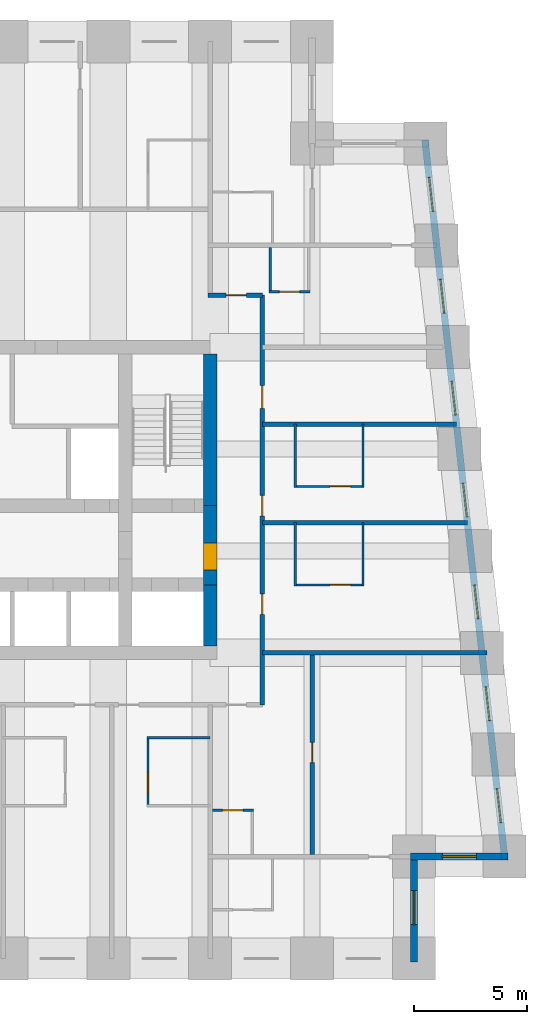
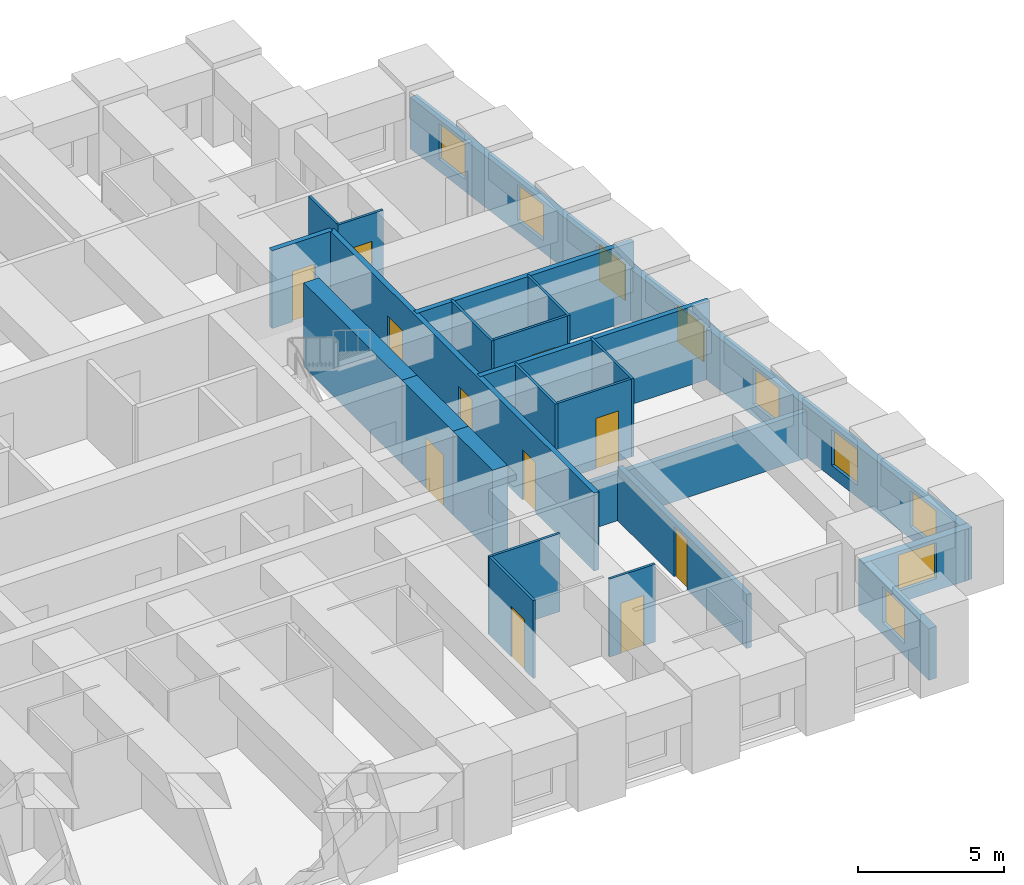
# One storey, part 5 of 8: 23 walls, 11 doors, 9 windows, 20 openings.
"""IFC4 building model written with IfcOpenShell, lengths in metres."""

import ifcopenshell
import ifcopenshell.guid

model = None  # the IFC model being written
_history = None  # IfcOwnerHistory: only IFC2X3 demands one
_inside = {}  # id of a spatial element -> (the spatial element, [elements in it])
_under = {}  # id of a project, library or spatial element -> (it, [spatial elements below it])
_declared = {}  # id of a project -> (the project, [libraries it declares])
_typed = {}  # id of a type object -> (the type object, [elements of that type])
_made_of = {}  # id of a material, layer set ... -> (it, [elements and type objects made of it])


def new_model(schema):
    """Start an empty IFC model of exactly this schema.

    Asked for "IFC4X3", IfcOpenShell would pick the latest addendum, in which some entities
    have other attributes; the version numbers below select the first issue.
    IFC2X3 requires an IfcOwnerHistory on every rooted entity: one is made here for all.
    """
    global model, _history
    if schema == "IFC4X3":
        model = ifcopenshell.file(schema_version=(4, 3, 0, 0))
    else:
        model = ifcopenshell.file(schema=schema)
    _inside.clear()
    _under.clear()
    _declared.clear()
    _typed.clear()
    _made_of.clear()
    _history = None
    if model.schema == "IFC2X3":
        org = make("IfcOrganization", Name="unknown")
        user = make(
            "IfcPersonAndOrganization",
            ThePerson=make("IfcPerson", FamilyName="unknown"),
            TheOrganization=org,
        )
        app = make(
            "IfcApplication",
            ApplicationDeveloper=org,
            Version="unknown",
            ApplicationFullName="unknown",
            ApplicationIdentifier="unknown",
        )
        _history = make(
            "IfcOwnerHistory",
            OwningUser=user,
            OwningApplication=app,
            ChangeAction="ADDED",
            CreationDate=0,
        )
    return model


def make(cls, **values):
    """One entity of the class cls with the attributes given. An attribute that is None is left unset."""
    return model.create_entity(
        cls, **{name: value for name, value in values.items() if value is not None}
    )


def rooted(cls, **values):
    """An entity with a GlobalId (a new one), such as an element, a storey or a relation."""
    return make(cls, GlobalId=ifcopenshell.guid.new(), OwnerHistory=_history, **values)


def si_unit(unit_type, name, prefix=None):
    """IfcSIUnit, for example si_unit("LENGTHUNIT", "METRE", prefix="MILLI")."""
    return make("IfcSIUnit", UnitType=unit_type, Prefix=prefix, Name=name)


def assignment(units):
    """IfcUnitAssignment: the units of a project."""
    return None if units is None else make("IfcUnitAssignment", Units=units)


def point(xyz):
    """IfcCartesianPoint."""
    return None if xyz is None else make("IfcCartesianPoint", Coordinates=xyz)


def direction(xyz):
    """IfcDirection."""
    return None if xyz is None else make("IfcDirection", DirectionRatios=xyz)


def frame(location, z_axis=None, x_axis=None):
    """IfcAxis2Placement3D, a coordinate frame: its origin and axes. An axis left out is left unset."""
    return make(
        "IfcAxis2Placement3D",
        Location=point(location),
        Axis=direction(z_axis),
        RefDirection=direction(x_axis),
    )


def frame_2d(location, x_axis=None):
    """IfcAxis2Placement2D, a coordinate frame in the plane: its origin and x axis."""
    return make(
        "IfcAxis2Placement2D", Location=point(location), RefDirection=direction(x_axis)
    )


def origin():
    """The frame at (0, 0, 0) with its axes left unset."""
    return frame((0.0, 0.0, 0.0))


def place(relative_to, where):
    """IfcLocalPlacement: puts the frame where relative to a parent placement (None: the world)."""
    return make(
        "IfcLocalPlacement", PlacementRelTo=relative_to, RelativePlacement=where
    )


def context(
    kind, dimensions, precision=None, world=None, true_north=None, identifier=None
):
    """IfcGeometricRepresentationContext, for example the 3D "Model" context."""
    return make(
        "IfcGeometricRepresentationContext",
        ContextIdentifier=identifier,
        ContextType=kind,
        CoordinateSpaceDimension=dimensions,
        Precision=precision,
        WorldCoordinateSystem=world,
        TrueNorth=true_north,
    )


def subcontext(parent, identifier, kind, view, scale=None):
    """IfcGeometricRepresentationSubContext, for example "Body" below "Model"."""
    return make(
        "IfcGeometricRepresentationSubContext",
        ContextIdentifier=identifier,
        ContextType=kind,
        ParentContext=parent,
        TargetScale=scale,
        TargetView=view,
    )


def project(units=None, contexts=None):
    """IfcProject with its units and contexts."""
    return rooted(
        "IfcProject",
        Name="project",
        RepresentationContexts=contexts,
        UnitsInContext=assignment(units),
    )


def spatial(cls, under=None, at=None, **own):
    """A site, building, storey or space (cls), placed at a placement, below another one or the project."""
    s = rooted(cls, ObjectPlacement=at, **own)
    if under is not None:
        _under.setdefault(under.id(), (under, []))[1].append(s)
    return s


def profile(cls, at=None, kind="AREA", **sizes):
    """A parametric profile (cls). Its sizes go by their IFC names, for example OverallWidth=200.0."""
    return make(cls, ProfileType=kind, Position=at, **sizes)


def rectangle(**sizes):
    """IfcRectangleProfileDef."""
    return profile("IfcRectangleProfileDef", **sizes)


def extrude(swept, where, along, depth):
    """IfcExtrudedAreaSolid: the profile swept, set in the frame where, extruded along a direction by depth."""
    return make(
        "IfcExtrudedAreaSolid",
        SweptArea=swept,
        Position=where,
        ExtrudedDirection=direction(along),
        Depth=depth,
    )


def shape(context_of_items, identifier, shape_type, items):
    """IfcShapeRepresentation: the items that make up one representation, for example the "Body"."""
    return make(
        "IfcShapeRepresentation",
        ContextOfItems=context_of_items,
        RepresentationIdentifier=identifier,
        RepresentationType=shape_type,
        Items=items,
    )


def material(Name=None, Category=None):
    """IfcMaterial."""
    return make("IfcMaterial", Name=Name, Category=Category)


def layer(
    of_material, thickness, ventilated=None, Name=None, Category=None, Priority=None
):
    """IfcMaterialLayer: one layer of a wall or slab, of a material (None: an air gap)."""
    return make(
        "IfcMaterialLayer",
        Material=of_material,
        LayerThickness=thickness,
        IsVentilated=ventilated,
        Name=Name,
        Category=Category,
        Priority=Priority,
    )


def layer_set(layers, Name=None):
    """IfcMaterialLayerSet."""
    return make("IfcMaterialLayerSet", MaterialLayers=layers, LayerSetName=Name)


def made_of(thing, what):
    """Note that an element or type object is made of a material, layer set ...; save() writes the relation."""
    if what is not None:
        _made_of.setdefault(what.id(), (what, []))[1].append(thing)
    return thing


def type_object(cls, material=None, **own):
    """A type object (cls), such as IfcWallType, which elements share."""
    return made_of(rooted(cls, **own), material)


def element(
    cls,
    number,
    at=None,
    inside=None,
    cuts=None,
    type_object=None,
    material=None,
    context=None,
    identifier="Body",
    shape_type=None,
    held_by="IfcProductDefinitionShape",
    body=None,
    shapes=None,
    **own,
):
    """One element of the class cls, such as IfcWall. Its Tag is "e" and its number.

    at: its placement. inside: the storey or other place that contains it. cuts: it is an
    opening in that element (IfcRelVoidsElement). A single representation is given by context,
    identifier, shape_type and body (its items); several are given by shapes. held_by: the class
    of the entity that holds the representations. save() writes the other relations.
    """
    e = rooted(cls, Tag="e%d" % number, ObjectPlacement=at, **own)
    if body is not None:
        shapes = [shape(context, identifier, shape_type, body)]
    if shapes is not None:
        e.Representation = make(held_by, Representations=shapes)
    if inside is not None:
        _inside.setdefault(inside.id(), (inside, []))[1].append(e)
    if cuts is not None:
        rooted(
            "IfcRelVoidsElement", RelatingBuildingElement=cuts, RelatedOpeningElement=e
        )
    if type_object is not None:
        _typed.setdefault(type_object.id(), (type_object, []))[1].append(e)
    return made_of(e, material)


def fill(opening, filler):
    """IfcRelFillsElement: the door or window that sits in an opening."""
    return rooted(
        "IfcRelFillsElement",
        RelatingOpeningElement=opening,
        RelatedBuildingElement=filler,
    )


def aggregate(whole, parts):
    """IfcRelAggregates: a whole, such as a stair, and the parts it consists of."""
    return rooted("IfcRelAggregates", RelatingObject=whole, RelatedObjects=parts)


def save(model, path):
    """Write the relations noted so far, then the file.

    IfcRelAggregates (storeys below a building ...), IfcRelContainedInSpatialStructure (elements
    in a storey), IfcRelDefinesByType, IfcRelAssociatesMaterial and IfcRelDeclares: one each for
    every whole, place, type object, material and project.
    """
    for whole, parts in _under.values():
        aggregate(whole, parts)
    for where, things in _inside.values():
        rooted(
            "IfcRelContainedInSpatialStructure",
            RelatedElements=things,
            RelatingStructure=where,
        )
    for kind, things in _typed.values():
        rooted("IfcRelDefinesByType", RelatedObjects=things, RelatingType=kind)
    for what, things in _made_of.values():
        rooted("IfcRelAssociatesMaterial", RelatedObjects=things, RelatingMaterial=what)
    for by, libraries in _declared.values():
        rooted("IfcRelDeclares", RelatingContext=by, RelatedDefinitions=libraries)
    model.write(path)


model = new_model("IFC4")

# Units and contexts
model_context = context("Model", 3, precision=1e-05, world=origin(), true_north=direction((0.0, 1.0)))
body_context = subcontext(model_context, "Body", "Model", "MODEL_VIEW")
ifc_project = project(units=[si_unit("LENGTHUNIT", "METRE"), si_unit("AREAUNIT", "SQUARE_METRE"), si_unit("VOLUMEUNIT", "CUBIC_METRE"), si_unit("PLANEANGLEUNIT", "RADIAN"), si_unit("MASSUNIT", "GRAM", prefix="KILO")], contexts=[model_context])

# Site, building, storey
site_placement = place(None, origin())
site = spatial("IfcSite", under=ifc_project, at=site_placement, CompositionType="ELEMENT")
building_placement = place(site_placement, origin())
building = spatial("IfcBuilding", under=site, at=building_placement, Name="Kilele Tower Hotel", CompositionType="ELEMENT")
storey_placement = place(building_placement, frame((0.0, 0.0, 107.39990234375)))
storey = spatial("IfcBuildingStorey", under=building, at=storey_placement, Name="L27", CompositionType="ELEMENT", Elevation=107.39990234375)

# Wall
ifc_material_1 = material(Name="Moisture-resistant board")
ifc_layer_1 = layer(ifc_material_1, 0.10009765625)
ifc_layer_set_1 = layer_set([ifc_layer_1], Name="Moisture-resistant board")
wall_type_1 = type_object("IfcWallType", Name="Bathroom partition 100", PredefinedType="PLUMBINGWALL", material=ifc_layer_set_1)
wall_1_placement = place(storey_placement, frame((33.199951171875, 9.75, 0.0), z_axis=(0.0, 0.0, 1.0), x_axis=(1.0, 0.0, 0.0)))
element("IfcWall", 1, at=wall_1_placement, inside=storey, type_object=wall_type_1, Name="Bathroom partition 100 L27", PredefinedType="PLUMBINGWALL", context=body_context, shape_type="SweptSolid", body=[
    extrude(rectangle(XDim=2.800048828125, YDim=0.10009765625, at=frame_2d((1.39990234375, 0.0))), origin(), (0.0, 0.0, 1.0), 3.25),
])

# Wall, opening, door
wall_2_placement = place(storey_placement, frame((33.25, 9.800048828125, 0.0), z_axis=(0.0, 0.0, 1.0), x_axis=(0.0, -1.0, 0.0)))
wall_2 = element("IfcWall", 2, at=wall_2_placement, inside=storey, type_object=wall_type_1, Name="Bathroom partition 100 L27", PredefinedType="PLUMBINGWALL", context=body_context, shape_type="SweptSolid", body=[
    extrude(rectangle(XDim=3.10009765625, YDim=0.10009765625, at=frame_2d((1.550048828125, 0.0))), origin(), (0.0, 0.0, 1.0), 3.25),
])
opening_1_placement = place(wall_2_placement, frame((2.5, 0.0, 0.0), z_axis=(0.0, 0.0, 1.0), x_axis=(-1.0, 0.0, 0.0)))
opening_1 = element("IfcOpeningElement", 3, at=opening_1_placement, cuts=wall_2, Name="Opening D2A", PredefinedType="OPENING", context=body_context, shape_type="SweptSolid", body=[
    extrude(rectangle(XDim=0.89990234375, YDim=2.10009765625, at=frame_2d((0.449951171875, 1.050048828125))), frame((0.0, 0.06005859375, 0.0), z_axis=(0.0, -1.0, 0.0), x_axis=(1.0, 0.0, 0.0)), (0.0, 0.0, 1.0), 0.1201171875),
])
ifc_material_2 = material(Name="Timber door leaf in hardwood frame", Category="wood")
door_type_1 = type_object("IfcDoorType", Name="Bathroom door 900", OperationType="SINGLE_SWING_LEFT", PredefinedType="DOOR", material=ifc_material_2)
door_1_placement = place(opening_1_placement, origin())
door_1 = element("IfcDoor", 4, at=door_1_placement, inside=storey, type_object=door_type_1, Name="Bathroom door 2705B", OperationType="SINGLE_SWING_LEFT", OverallHeight=2.10009765625, OverallWidth=0.89990234375, PredefinedType="DOOR", context=body_context, shape_type="SweptSolid", body=[
    extrude(rectangle(XDim=0.89990234375, YDim=2.10009765625, at=frame_2d((0.449951171875, 1.050048828125))), frame((0.0, 0.02490234375, 0.0), z_axis=(0.0, -1.0, 0.0), x_axis=(1.0, 0.0, 0.0)), (0.0, 0.0, 1.0), 0.050048828125),
])
fill(opening_1, door_1)

# Walls
for number, where, z_axis, x_axis, name in (
    (5, (39.75, 16.449951171875, 0.0), (0.0, 0.0, 1.0), (0.0, 1.0, 0.0), "Bathroom partition 100 L27"),
    (6, (42.75, 16.449951171875, 0.0), (0.0, 0.0, 1.0), (0.0, 1.0, 0.0), "Bathroom partition 100 L27"),
):
    element("IfcWall", number, at=place(storey_placement, frame(where, z_axis=z_axis, x_axis=x_axis)), inside=storey, type_object=wall_type_1, Name=name, PredefinedType="PLUMBINGWALL", context=body_context, shape_type="SweptSolid", body=[
        extrude(rectangle(XDim=2.800048828125, YDim=0.10009765625, at=frame_2d((1.39990234375, 0.0))), origin(), (0.0, 0.0, 1.0), 3.25),
    ])

# Wall, opening, door
wall_3_placement = place(storey_placement, frame((39.699951171875, 16.5, 0.0), z_axis=(0.0, 0.0, 1.0), x_axis=(1.0, 0.0, 0.0)))
wall_3 = element("IfcWall", 7, at=wall_3_placement, inside=storey, type_object=wall_type_1, Name="Bathroom partition 100 L27", PredefinedType="PLUMBINGWALL", context=body_context, shape_type="SweptSolid", body=[
    extrude(rectangle(XDim=3.10009765625, YDim=0.10009765625, at=frame_2d((1.550048828125, 0.0))), origin(), (0.0, 0.0, 1.0), 3.25),
])
opening_2_placement = place(wall_3_placement, frame((2.5, 0.0, 0.0), z_axis=(0.0, 0.0, 1.0), x_axis=(-1.0, 0.0, 0.0)))
opening_2 = element("IfcOpeningElement", 8, at=opening_2_placement, cuts=wall_3, Name="Opening D2A", PredefinedType="OPENING", context=body_context, shape_type="SweptSolid", body=[
    extrude(rectangle(XDim=0.89990234375, YDim=2.10009765625, at=frame_2d((0.449951171875, 1.050048828125))), frame((0.0, 0.06005859375, 0.0), z_axis=(0.0, -1.0, 0.0), x_axis=(1.0, 0.0, 0.0)), (0.0, 0.0, 1.0), 0.1201171875),
])
door_2_placement = place(opening_2_placement, origin())
door_2 = element("IfcDoor", 9, at=door_2_placement, inside=storey, type_object=door_type_1, Name="Bathroom door 2706B", OperationType="SINGLE_SWING_LEFT", OverallHeight=2.10009765625, OverallWidth=0.89990234375, PredefinedType="DOOR", context=body_context, shape_type="SweptSolid", body=[
    extrude(rectangle(XDim=0.89990234375, YDim=2.10009765625, at=frame_2d((0.449951171875, 1.050048828125))), frame((0.0, 0.02490234375, 0.0), z_axis=(0.0, -1.0, 0.0), x_axis=(1.0, 0.0, 0.0)), (0.0, 0.0, 1.0), 0.050048828125),
])
fill(opening_2, door_2)

# Walls
for number, where, z_axis, x_axis, name in (
    (10, (39.75, 20.800048828125, 0.0), (0.0, 0.0, 1.0), (0.0, 1.0, 0.0), "Bathroom partition 100 L27"),
    (11, (42.75, 20.800048828125, 0.0), (0.0, 0.0, 1.0), (0.0, 1.0, 0.0), "Bathroom partition 100 L27"),
):
    element("IfcWall", number, at=place(storey_placement, frame(where, z_axis=z_axis, x_axis=x_axis)), inside=storey, type_object=wall_type_1, Name=name, PredefinedType="PLUMBINGWALL", context=body_context, shape_type="SweptSolid", body=[
        extrude(rectangle(XDim=2.800048828125, YDim=0.10009765625, at=frame_2d((1.39990234375, 0.0))), origin(), (0.0, 0.0, 1.0), 3.25),
    ])

# Wall, opening, door
wall_4_placement = place(storey_placement, frame((39.699951171875, 20.85009765625, 0.0), z_axis=(0.0, 0.0, 1.0), x_axis=(1.0, 0.0, 0.0)))
wall_4 = element("IfcWall", 12, at=wall_4_placement, inside=storey, type_object=wall_type_1, Name="Bathroom partition 100 L27", PredefinedType="PLUMBINGWALL", context=body_context, shape_type="SweptSolid", body=[
    extrude(rectangle(XDim=3.10009765625, YDim=0.10009765625, at=frame_2d((1.550048828125, 0.0))), origin(), (0.0, 0.0, 1.0), 3.25),
])
opening_3_placement = place(wall_4_placement, frame((2.5, 0.0, 0.0), z_axis=(0.0, 0.0, 1.0), x_axis=(-1.0, 0.0, 0.0)))
opening_3 = element("IfcOpeningElement", 13, at=opening_3_placement, cuts=wall_4, Name="Opening D2A", PredefinedType="OPENING", context=body_context, shape_type="SweptSolid", body=[
    extrude(rectangle(XDim=0.89990234375, YDim=2.10009765625, at=frame_2d((0.449951171875, 1.050048828125))), frame((0.0, 0.06005859375, 0.0), z_axis=(0.0, -1.0, 0.0), x_axis=(1.0, 0.0, 0.0)), (0.0, 0.0, 1.0), 0.1201171875),
])
door_3_placement = place(opening_3_placement, origin())
door_3 = element("IfcDoor", 14, at=door_3_placement, inside=storey, type_object=door_type_1, Name="Bathroom door 2707B", OperationType="SINGLE_SWING_LEFT", OverallHeight=2.10009765625, OverallWidth=0.89990234375, PredefinedType="DOOR", context=body_context, shape_type="SweptSolid", body=[
    extrude(rectangle(XDim=0.89990234375, YDim=2.10009765625, at=frame_2d((0.449951171875, 1.050048828125))), frame((0.0, 0.02490234375, 0.0), z_axis=(0.0, -1.0, 0.0), x_axis=(1.0, 0.0, 0.0)), (0.0, 0.0, 1.0), 0.050048828125),
])
fill(opening_3, door_3)

wall_5_placement = place(storey_placement, frame((36.10009765625, 6.550048828125, 0.0), z_axis=(0.0, 0.0, 1.0), x_axis=(1.0, 0.0, 0.0)))
wall_5 = element("IfcWall", 15, at=wall_5_placement, inside=storey, type_object=wall_type_1, Name="Bathroom partition 100 L27", PredefinedType="PLUMBINGWALL", context=body_context, shape_type="SweptSolid", body=[
    extrude(rectangle(XDim=1.7998046875, YDim=0.10009765625, at=frame_2d((0.89990234375, 0.0))), origin(), (0.0, 0.0, 1.0), 3.25),
])
opening_4_placement = place(wall_5_placement, frame((0.449951171875, 0.0, 0.0)))
opening_4 = element("IfcOpeningElement", 16, at=opening_4_placement, cuts=wall_5, Name="Opening D2A", PredefinedType="OPENING", context=body_context, shape_type="SweptSolid", body=[
    extrude(rectangle(XDim=0.89990234375, YDim=2.10009765625, at=frame_2d((0.449951171875, 1.050048828125))), frame((0.0, 0.06005859375, 0.0), z_axis=(0.0, -1.0, 0.0), x_axis=(1.0, 0.0, 0.0)), (0.0, 0.0, 1.0), 0.1201171875),
])
door_4_placement = place(opening_4_placement, origin())
door_4 = element("IfcDoor", 17, at=door_4_placement, inside=storey, type_object=door_type_1, Name="Bathroom door 2720P", OperationType="SINGLE_SWING_LEFT", OverallHeight=2.10009765625, OverallWidth=0.89990234375, PredefinedType="DOOR", context=body_context, shape_type="SweptSolid", body=[
    extrude(rectangle(XDim=0.89990234375, YDim=2.10009765625, at=frame_2d((0.449951171875, 1.050048828125))), frame((0.0, 0.02490234375, 0.0), z_axis=(0.0, -1.0, 0.0), x_axis=(1.0, 0.0, 0.0)), (0.0, 0.0, 1.0), 0.050048828125),
])
fill(opening_4, door_4)

# Wall
wall_6_placement = place(storey_placement, frame((38.64990234375, 31.39990234375, 0.0), z_axis=(0.0, 0.0, 1.0), x_axis=(0.0, -1.0, 0.0)))
element("IfcWall", 18, at=wall_6_placement, inside=storey, type_object=wall_type_1, Name="Bathroom partition 100 L27", PredefinedType="PLUMBINGWALL", context=body_context, shape_type="SweptSolid", body=[
    extrude(rectangle(XDim=2.0, YDim=0.10009765625, at=frame_2d((1.0, 0.0))), origin(), (0.0, 0.0, 1.0), 3.25),
])

# Wall, opening, door
wall_7_placement = place(storey_placement, frame((38.60009765625, 29.449951171875, 0.0), z_axis=(0.0, 0.0, 1.0), x_axis=(1.0, 0.0, 0.0)))
wall_7 = element("IfcWall", 19, at=wall_7_placement, inside=storey, type_object=wall_type_1, Name="Bathroom partition 100 L27", PredefinedType="PLUMBINGWALL", context=body_context, shape_type="SweptSolid", body=[
    extrude(rectangle(XDim=1.7998046875, YDim=0.10009765625, at=frame_2d((0.89990234375, 0.0))), origin(), (0.0, 0.0, 1.0), 3.25),
])
opening_5_placement = place(wall_7_placement, frame((1.349853515625, 0.0, 0.0), z_axis=(0.0, 0.0, 1.0), x_axis=(-1.0, 0.0, 0.0)))
opening_5 = element("IfcOpeningElement", 20, at=opening_5_placement, cuts=wall_7, Name="Opening D2A", PredefinedType="OPENING", context=body_context, shape_type="SweptSolid", body=[
    extrude(rectangle(XDim=0.89990234375, YDim=2.10009765625, at=frame_2d((0.449951171875, 1.050048828125))), frame((0.0, 0.06005859375, 0.0), z_axis=(0.0, -1.0, 0.0), x_axis=(1.0, 0.0, 0.0)), (0.0, 0.0, 1.0), 0.1201171875),
])
door_5_placement = place(opening_5_placement, origin())
door_5 = element("IfcDoor", 21, at=door_5_placement, inside=storey, type_object=door_type_1, Name="Bathroom door 2723P", OperationType="SINGLE_SWING_RIGHT", OverallHeight=2.10009765625, OverallWidth=0.89990234375, PredefinedType="DOOR", context=body_context, shape_type="SweptSolid", body=[
    extrude(rectangle(XDim=0.89990234375, YDim=2.10009765625, at=frame_2d((0.449951171875, 1.050048828125))), frame((0.0, 0.02490234375, 0.0), z_axis=(0.0, -1.0, 0.0), x_axis=(1.0, 0.0, 0.0)), (0.0, 0.0, 1.0), 0.050048828125),
])
fill(opening_5, door_5)

# Wall
ifc_material_3 = material(Name="Concrete C60/75", Category="concrete")
ifc_layer_2 = layer(ifc_material_3, 0.60009765625)
ifc_layer_set_2 = layer_set([ifc_layer_2], Name="Concrete C60/75")
wall_type_2 = type_object("IfcWallType", Name="Core wall 600 C60/75", PredefinedType="SHEAR", material=ifc_layer_set_2)
wall_8_placement = place(storey_placement, frame((36.0, 13.800048828125, 0.0), z_axis=(0.0, 0.0, 1.0), x_axis=(0.0, 1.0, 0.0)))
element("IfcWall", 22, at=wall_8_placement, inside=storey, type_object=wall_type_2, Name="Core wall E1 L27", PredefinedType="SHEAR", context=body_context, shape_type="SweptSolid", body=[
    extrude(rectangle(XDim=2.699951171875, YDim=0.60009765625, at=frame_2d((1.35009765625, 0.0))), origin(), (0.0, 0.0, 1.0), 3.5),
])

# Wall, opening, door
wall_9_placement = place(storey_placement, frame((36.0, 16.5, 0.0), z_axis=(0.0, 0.0, 1.0), x_axis=(0.0, 1.0, 0.0)))
wall_9 = element("IfcWall", 23, at=wall_9_placement, inside=storey, type_object=wall_type_2, Name="Core wall E2 L27", PredefinedType="SHEAR", context=body_context, shape_type="SweptSolid", body=[
    extrude(rectangle(XDim=3.5, YDim=0.60009765625, at=frame_2d((1.75, 0.0))), origin(), (0.0, 0.0, 1.0), 3.5),
])
opening_6_placement = place(wall_9_placement, frame((0.64990234375, 0.0, 0.0)))
opening_6 = element("IfcOpeningElement", 24, at=opening_6_placement, cuts=wall_9, Name="Opening D4", PredefinedType="OPENING", context=body_context, shape_type="SweptSolid", body=[
    extrude(rectangle(XDim=1.199951171875, YDim=2.10009765625, at=frame_2d((0.60009765625, 1.050048828125))), frame((0.0, 0.31005859375, 0.0), z_axis=(0.0, -1.0, 0.0), x_axis=(1.0, 0.0, 0.0)), (0.0, 0.0, 1.0), 0.6201171875),
])
ifc_material_4 = material(Name="Timber door leaf in hardwood frame", Category="wood")
door_type_2 = type_object("IfcDoorType", Name="Firefighting lobby door 1200", OperationType="SINGLE_SWING_LEFT", PredefinedType="DOOR", material=ifc_material_4)
door_6_placement = place(opening_6_placement, origin())
door_6 = element("IfcDoor", 25, at=door_6_placement, inside=storey, type_object=door_type_2, Name="Lobby door L27", OperationType="SINGLE_SWING_LEFT", OverallHeight=2.10009765625, OverallWidth=1.199951171875, PredefinedType="DOOR", context=body_context, shape_type="SweptSolid", body=[
    extrude(rectangle(XDim=1.199951171875, YDim=2.10009765625, at=frame_2d((0.60009765625, 1.050048828125))), frame((0.0, 0.2998046875, 0.0), z_axis=(0.0, -1.0, 0.0), x_axis=(1.0, 0.0, 0.0)), (0.0, 0.0, 1.0), 0.599609375),
])
fill(opening_6, door_6)

# Wall
wall_10_placement = place(storey_placement, frame((36.0, 20.0, 0.0), z_axis=(0.0, 0.0, 1.0), x_axis=(0.0, 1.0, 0.0)))
element("IfcWall", 26, at=wall_10_placement, inside=storey, type_object=wall_type_2, Name="Core wall E3 L27", PredefinedType="SHEAR", context=body_context, shape_type="SweptSolid", body=[
    extrude(rectangle(XDim=6.699951171875, YDim=0.60009765625, at=frame_2d((3.35009765625, 0.0))), origin(), (0.0, 0.0, 1.0), 3.5),
])

# Wall, opening, door
ifc_material_5 = material(Name="Blockwork, plastered both sides", Category="masonry")
ifc_layer_3 = layer(ifc_material_5, 0.199951171875)
ifc_layer_set_3 = layer_set([ifc_layer_3], Name="Blockwork, plastered both sides")
wall_type_3 = type_object("IfcWallType", Name="Corridor wall 200", PredefinedType="PARTITIONING", material=ifc_layer_set_3)
wall_11_placement = place(storey_placement, frame((35.89990234375, 29.300048828125, 0.0), z_axis=(0.0, 0.0, 1.0), x_axis=(1.0, 0.0, 0.0)))
wall_11 = element("IfcWall", 27, at=wall_11_placement, inside=storey, type_object=wall_type_3, Name="Corridor wall 200 L27", PredefinedType="PARTITIONING", context=body_context, shape_type="SweptSolid", body=[
    extrude(rectangle(XDim=2.400146484375, YDim=0.199951171875, at=frame_2d((1.2001953125, 0.0))), origin(), (0.0, 0.0, 1.0), 3.25),
])
opening_7_placement = place(wall_11_placement, frame((0.800048828125, 0.0, 0.0)))
opening_7 = element("IfcOpeningElement", 28, at=opening_7_placement, cuts=wall_11, Name="Opening D1", PredefinedType="OPENING", context=body_context, shape_type="SweptSolid", body=[
    extrude(rectangle(XDim=0.89990234375, YDim=2.10009765625, at=frame_2d((0.449951171875, 1.050048828125))), frame((0.0, 0.10986328125, 0.0), z_axis=(0.0, -1.0, 0.0), x_axis=(1.0, 0.0, 0.0)), (0.0, 0.0, 1.0), 0.219970703125),
])
ifc_material_6 = material(Name="Timber door leaf in hardwood frame", Category="wood")
door_type_3 = type_object("IfcDoorType", Name="Guest room entrance door 900", OperationType="SINGLE_SWING_LEFT", PredefinedType="DOOR", material=ifc_material_6)
door_7_placement = place(opening_7_placement, origin())
door_7 = element("IfcDoor", 29, at=door_7_placement, inside=storey, type_object=door_type_3, Name="Room entrance 2723", OperationType="SINGLE_SWING_LEFT", OverallHeight=2.10009765625, OverallWidth=0.89990234375, PredefinedType="DOOR", context=body_context, shape_type="SweptSolid", body=[
    extrude(rectangle(XDim=0.89990234375, YDim=2.10009765625, at=frame_2d((0.449951171875, 1.050048828125))), frame((0.0, 0.02490234375, 0.0), z_axis=(0.0, -1.0, 0.0), x_axis=(1.0, 0.0, 0.0)), (0.0, 0.0, 1.0), 0.050048828125),
])
fill(opening_7, door_7)

# Wall, openings, doors
wall_12_placement = place(storey_placement, frame((38.300048828125, 11.199951171875, 0.0), z_axis=(0.0, 0.0, 1.0), x_axis=(0.0, 1.0, 0.0)))
wall_12 = element("IfcWall", 30, at=wall_12_placement, inside=storey, type_object=wall_type_3, Name="Corridor wall 200 L27", PredefinedType="PARTITIONING", context=body_context, shape_type="SweptSolid", body=[
    extrude(rectangle(XDim=18.10009765625, YDim=0.199951171875, at=frame_2d((9.050048828125, 0.0))), origin(), (0.0, 0.0, 1.0), 3.25),
])
opening_8_placement = place(wall_12_placement, frame((4.89990234375, 0.0, 0.0), z_axis=(0.0, 0.0, 1.0), x_axis=(-1.0, 0.0, 0.0)))
opening_8 = element("IfcOpeningElement", 31, at=opening_8_placement, cuts=wall_12, Name="Opening D1", PredefinedType="OPENING", context=body_context, shape_type="SweptSolid", body=[
    extrude(rectangle(XDim=0.89990234375, YDim=2.10009765625, at=frame_2d((0.449951171875, 1.050048828125))), frame((0.0, 0.10986328125, 0.0), z_axis=(0.0, -1.0, 0.0), x_axis=(1.0, 0.0, 0.0)), (0.0, 0.0, 1.0), 0.219970703125),
])
opening_9_placement = place(wall_12_placement, frame((9.25, 0.0, 0.0), z_axis=(0.0, 0.0, 1.0), x_axis=(-1.0, 0.0, 0.0)))
opening_9 = element("IfcOpeningElement", 32, at=opening_9_placement, cuts=wall_12, Name="Opening D1", PredefinedType="OPENING", context=body_context, shape_type="SweptSolid", body=[
    extrude(rectangle(XDim=0.89990234375, YDim=2.10009765625, at=frame_2d((0.449951171875, 1.050048828125))), frame((0.0, 0.10986328125, 0.0), z_axis=(0.0, -1.0, 0.0), x_axis=(1.0, 0.0, 0.0)), (0.0, 0.0, 1.0), 0.219970703125),
])
opening_10_placement = place(wall_12_placement, frame((14.10009765625, 0.0, 0.0), z_axis=(0.0, 0.0, 1.0), x_axis=(-1.0, 0.0, 0.0)))
opening_10 = element("IfcOpeningElement", 33, at=opening_10_placement, cuts=wall_12, Name="Opening D8", PredefinedType="OPENING", context=body_context, shape_type="SweptSolid", body=[
    extrude(rectangle(XDim=1.0, YDim=2.10009765625, at=frame_2d((0.5, 1.050048828125))), frame((0.0, 0.10986328125, 0.0), z_axis=(0.0, -1.0, 0.0), x_axis=(1.0, 0.0, 0.0)), (0.0, 0.0, 1.0), 0.219970703125),
])
ifc_material_7 = material(Name="Timber door leaf in hardwood frame", Category="wood")
door_type_4 = type_object("IfcDoorType", Name="Door 1000", OperationType="SINGLE_SWING_LEFT", PredefinedType="DOOR", material=ifc_material_7)
door_8_placement = place(opening_10_placement, origin())
door_8 = element("IfcDoor", 34, at=door_8_placement, inside=storey, type_object=door_type_4, Name="Room entrance 2708", OperationType="SINGLE_SWING_RIGHT", OverallHeight=2.10009765625, OverallWidth=1.0, PredefinedType="DOOR", context=body_context, shape_type="SweptSolid", body=[
    extrude(rectangle(XDim=1.0, YDim=2.10009765625, at=frame_2d((0.5, 1.050048828125))), frame((0.0, 0.02490234375, 0.0), z_axis=(0.0, -1.0, 0.0), x_axis=(1.0, 0.0, 0.0)), (0.0, 0.0, 1.0), 0.050048828125),
])
fill(opening_10, door_8)
door_9_placement = place(opening_8_placement, origin())
door_9 = element("IfcDoor", 35, at=door_9_placement, inside=storey, type_object=door_type_3, Name="Room entrance 2706", OperationType="SINGLE_SWING_RIGHT", OverallHeight=2.10009765625, OverallWidth=0.89990234375, PredefinedType="DOOR", context=body_context, shape_type="SweptSolid", body=[
    extrude(rectangle(XDim=0.89990234375, YDim=2.10009765625, at=frame_2d((0.449951171875, 1.050048828125))), frame((0.0, 0.02490234375, 0.0), z_axis=(0.0, -1.0, 0.0), x_axis=(1.0, 0.0, 0.0)), (0.0, 0.0, 1.0), 0.050048828125),
])
fill(opening_8, door_9)
door_10_placement = place(opening_9_placement, origin())
door_10 = element("IfcDoor", 36, at=door_10_placement, inside=storey, type_object=door_type_3, Name="Room entrance 2707", OperationType="SINGLE_SWING_RIGHT", OverallHeight=2.10009765625, OverallWidth=0.89990234375, PredefinedType="DOOR", context=body_context, shape_type="SweptSolid", body=[
    extrude(rectangle(XDim=0.89990234375, YDim=2.10009765625, at=frame_2d((0.449951171875, 1.050048828125))), frame((0.0, 0.02490234375, 0.0), z_axis=(0.0, -1.0, 0.0), x_axis=(1.0, 0.0, 0.0)), (0.0, 0.0, 1.0), 0.050048828125),
])
fill(opening_9, door_10)

# Wall, opening, door
ifc_material_8 = material(Name="Blockwork, plastered both sides", Category="masonry")
ifc_layer_4 = layer(ifc_material_8, 0.199951171875)
ifc_layer_set_4 = layer_set([ifc_layer_4], Name="Blockwork, plastered both sides")
wall_type_4 = type_object("IfcWallType", Name="Partition wall 200", PredefinedType="PARTITIONING", material=ifc_layer_set_4)
wall_13_placement = place(storey_placement, frame((40.5, 4.60009765625, 0.0), z_axis=(0.0, 0.0, 1.0), x_axis=(0.0, 1.0, 0.0)))
wall_13 = element("IfcWall", 37, at=wall_13_placement, inside=storey, type_object=wall_type_4, Name="Partition wall 200 L27", PredefinedType="PARTITIONING", context=body_context, shape_type="SweptSolid", body=[
    extrude(rectangle(XDim=8.7998046875, YDim=0.199951171875, at=frame_2d((4.39990234375, 0.0))), origin(), (0.0, 0.0, 1.0), 2.25),
])
opening_11_placement = place(wall_13_placement, frame((4.050048828125, 0.0, 0.0)))
opening_11 = element("IfcOpeningElement", 38, at=opening_11_placement, cuts=wall_13, Name="Opening D3", PredefinedType="OPENING", context=body_context, shape_type="SweptSolid", body=[
    extrude(rectangle(XDim=0.89990234375, YDim=2.10009765625, at=frame_2d((0.449951171875, 1.050048828125))), frame((0.0, 0.10986328125, 0.0), z_axis=(0.0, -1.0, 0.0), x_axis=(1.0, 0.0, 0.0)), (0.0, 0.0, 1.0), 0.219970703125),
])
ifc_material_9 = material(Name="Timber door leaf in hardwood frame", Category="wood")
door_type_5 = type_object("IfcDoorType", Name="Suite internal door 900", OperationType="SINGLE_SWING_LEFT", PredefinedType="DOOR", material=ifc_material_9)
door_11_placement = place(opening_11_placement, origin())
door_11 = element("IfcDoor", 39, at=door_11_placement, inside=storey, type_object=door_type_5, Name="Suite door 2721", OperationType="SINGLE_SWING_RIGHT", OverallHeight=2.10009765625, OverallWidth=0.89990234375, PredefinedType="DOOR", context=body_context, shape_type="SweptSolid", body=[
    extrude(rectangle(XDim=0.89990234375, YDim=2.10009765625, at=frame_2d((0.449951171875, 1.050048828125))), frame((0.0, 0.02490234375, 0.0), z_axis=(0.0, -1.0, 0.0), x_axis=(1.0, 0.0, 0.0)), (0.0, 0.0, 1.0), 0.050048828125),
])
fill(opening_11, door_11)

# Walls
ifc_material_10 = material(Name="Blockwork, plastered both sides", Category="masonry")
ifc_layer_5 = layer(ifc_material_10, 0.199951171875)
ifc_layer_set_5 = layer_set([ifc_layer_5], Name="Blockwork, plastered both sides")
wall_type_5 = type_object("IfcWallType", Name="Party wall 200", PredefinedType="PARTITIONING", material=ifc_layer_set_5)
wall_14_placement = place(storey_placement, frame((38.300048828125, 19.25, 0.0), z_axis=(0.0, 0.0, 1.0), x_axis=(1.0, 0.0, 0.0)))
element("IfcWall", 40, at=wall_14_placement, inside=storey, type_object=wall_type_5, Name="Party wall 200 L27", PredefinedType="PARTITIONING", context=body_context, shape_type="SweptSolid", body=[
    extrude(rectangle(XDim=9.06005859375, YDim=0.199951171875, at=frame_2d((4.530029296875, 0.0))), origin(), (0.0, 0.0, 1.0), 3.25),
])
wall_15_placement = place(storey_placement, frame((38.300048828125, 23.60009765625, 0.0), z_axis=(0.0, 0.0, 1.0), x_axis=(1.0, 0.0, 0.0)))
element("IfcWall", 41, at=wall_15_placement, inside=storey, type_object=wall_type_5, Name="Party wall 200 L27", PredefinedType="PARTITIONING", context=body_context, shape_type="SweptSolid", body=[
    extrude(rectangle(XDim=8.576904296875, YDim=0.199951171875, at=frame_2d((4.28857421875, 0.0))), origin(), (0.0, 0.0, 1.0), 3.25),
])
wall_16_placement = place(storey_placement, frame((38.300048828125, 13.5, 0.0), z_axis=(0.0, 0.0, 1.0), x_axis=(1.0, 0.0, 0.0)))
element("IfcWall", 42, at=wall_16_placement, inside=storey, type_object=wall_type_5, Name="Party wall 200 L27", PredefinedType="PARTITIONING", context=body_context, shape_type="SweptSolid", body=[
    extrude(rectangle(XDim=9.921142578125, YDim=0.199951171875, at=frame_2d((4.96044921875, 0.0))), origin(), (0.0, 0.0, 1.0), 1.9501953125),
])

# Wall, opening, window
ifc_material_11 = material(Name="Concrete C40/50 precast", Category="concrete")
ifc_layer_6 = layer(ifc_material_11, 0.260009765625, Name="Precast backing", Category="LoadBearing")
ifc_material_12 = material(Name="Reconstituted stone finish", Category="masonry")
ifc_layer_7 = layer(ifc_material_12, 0.0400390625, Name="Face mix", Category="Finish")
ifc_layer_set_6 = layer_set([ifc_layer_6, ifc_layer_7], Name="Precast concrete C40/50, reconstituted stone finish")
wall_type_6 = type_object("IfcWallType", Name="Precast stone facade wall 300", PredefinedType="STANDARD", material=ifc_layer_set_6)
wall_17_placement = place(storey_placement, frame((45.0, -0.14990234375, 0.0), z_axis=(0.0, 0.0, 1.0), x_axis=(0.0, 1.0, 0.0)))
wall_17 = element("IfcWall", 43, at=wall_17_placement, inside=storey, type_object=wall_type_6, Name="Facade wall L27 edge 4", PredefinedType="STANDARD", context=body_context, shape_type="SweptSolid", body=[
    extrude(rectangle(XDim=4.7998046875, YDim=0.300048828125, at=frame_2d((2.39990234375, 0.0))), origin(), (0.0, 0.0, 1.0), 2.150146484375),
])
opening_12_placement = place(wall_17_placement, frame((1.64990234375, 0.0, 0.5)))
opening_12 = element("IfcOpeningElement", 44, at=opening_12_placement, cuts=wall_17, Name="Opening W2", PredefinedType="OPENING", context=body_context, shape_type="SweptSolid", body=[
    extrude(rectangle(XDim=1.5, YDim=1.5, at=frame_2d((0.75, 0.75))), frame((0.0, 0.159912109375, 0.0), z_axis=(0.0, -1.0, 0.0), x_axis=(1.0, 0.0, 0.0)), (0.0, 0.0, 1.0), 0.320068359375),
])
ifc_material_13 = material(Name="Aluminium frame, clear double glazing", Category="aluminium")
window_type = type_object("IfcWindowType", Name="Window W2 1500 x 1500", PartitioningType="SINGLE_PANEL", PredefinedType="WINDOW", material=ifc_material_13)
window_1_placement = place(opening_12_placement, origin())
window_1 = element("IfcWindow", 45, at=window_1_placement, inside=storey, type_object=window_type, Name="Window L27", OverallHeight=1.5, OverallWidth=1.5, PartitioningType="SINGLE_PANEL", PredefinedType="WINDOW", context=body_context, shape_type="SweptSolid", body=[
    extrude(rectangle(XDim=1.5, YDim=1.5, at=frame_2d((0.75, 0.75))), frame((0.0, 0.030029296875, 0.0), z_axis=(0.0, -1.0, 0.0), x_axis=(1.0, 0.0, 0.0)), (0.0, 0.0, 1.0), 0.06005859375),
])
fill(opening_12, window_1)

wall_18_placement = place(storey_placement, frame((44.85009765625, 4.5, 0.0), z_axis=(0.0, 0.0, 1.0), x_axis=(1.0, 0.0, 0.0)))
wall_18 = element("IfcWall", 46, at=wall_18_placement, inside=storey, type_object=wall_type_6, Name="Facade wall L27 edge 5", PredefinedType="STANDARD", context=body_context, shape_type="SweptSolid", body=[
    extrude(rectangle(XDim=4.2998046875, YDim=0.300048828125, at=frame_2d((2.14990234375, 0.0))), origin(), (0.0, 0.0, 1.0), 2.150146484375),
])
opening_13_placement = place(wall_18_placement, frame((1.39990234375, 0.0, 0.5)))
opening_13 = element("IfcOpeningElement", 47, at=opening_13_placement, cuts=wall_18, Name="Opening W2", PredefinedType="OPENING", context=body_context, shape_type="SweptSolid", body=[
    extrude(rectangle(XDim=1.5, YDim=1.5, at=frame_2d((0.75, 0.75))), frame((0.0, 0.159912109375, 0.0), z_axis=(0.0, -1.0, 0.0), x_axis=(1.0, 0.0, 0.0)), (0.0, 0.0, 1.0), 0.320068359375),
])
window_2_placement = place(opening_13_placement, origin())
window_2 = element("IfcWindow", 48, at=window_2_placement, inside=storey, type_object=window_type, Name="Window L27", OverallHeight=1.5, OverallWidth=1.5, PartitioningType="SINGLE_PANEL", PredefinedType="WINDOW", context=body_context, shape_type="SweptSolid", body=[
    extrude(rectangle(XDim=1.5, YDim=1.5, at=frame_2d((0.75, 0.75))), frame((0.0, 0.030029296875, 0.0), z_axis=(0.0, -1.0, 0.0), x_axis=(1.0, 0.0, 0.0)), (0.0, 0.0, 1.0), 0.06005859375),
])
fill(opening_13, window_2)

# Wall, openings, windows
wall_19_placement = place(storey_placement, frame((49.0166015625, 4.350830078125, 0.0), z_axis=(0.0, 0.0, 1.0), x_axis=(-0.110433201132, 0.993883548555, 0.0)))
wall_19 = element("IfcWall", 49, at=wall_19_placement, inside=storey, type_object=wall_type_6, Name="Facade wall L27 edge 6", PredefinedType="STANDARD", context=body_context, shape_type="SweptSolid", body=[
    extrude(rectangle(XDim=31.994140625, YDim=0.300048828125, at=frame_2d((15.9970703125, 0.0))), origin(), (0.0, 0.0, 1.0), 2.150146484375),
])
opening_14_placement = place(wall_19_placement, frame((1.6640625, 0.0, 0.5)))
opening_14 = element("IfcOpeningElement", 50, at=opening_14_placement, cuts=wall_19, Name="Opening W2", PredefinedType="OPENING", context=body_context, shape_type="SweptSolid", body=[
    extrude(rectangle(XDim=1.5, YDim=1.5, at=frame_2d((0.75, 0.75))), frame((0.0, 0.159912109375, 0.0), z_axis=(0.0, -1.0, 0.0), x_axis=(1.0, 0.0, 0.0)), (0.0, 0.0, 1.0), 0.320068359375),
])
opening_15_placement = place(wall_19_placement, frame((6.19189453125, 0.0, 0.5)))
opening_15 = element("IfcOpeningElement", 51, at=opening_15_placement, cuts=wall_19, Name="Opening W2", PredefinedType="OPENING", context=body_context, shape_type="SweptSolid", body=[
    extrude(rectangle(XDim=1.5, YDim=1.5, at=frame_2d((0.75, 0.75))), frame((0.0, 0.159912109375, 0.0), z_axis=(0.0, -1.0, 0.0), x_axis=(1.0, 0.0, 0.0)), (0.0, 0.0, 1.0), 0.320068359375),
])
opening_16_placement = place(wall_19_placement, frame((10.718994140625, 0.0, 0.5)))
opening_16 = element("IfcOpeningElement", 52, at=opening_16_placement, cuts=wall_19, Name="Opening W2", PredefinedType="OPENING", context=body_context, shape_type="SweptSolid", body=[
    extrude(rectangle(XDim=1.5, YDim=1.5, at=frame_2d((0.75, 0.75))), frame((0.0, 0.159912109375, 0.0), z_axis=(0.0, -1.0, 0.0), x_axis=(1.0, 0.0, 0.0)), (0.0, 0.0, 1.0), 0.320068359375),
])
opening_17_placement = place(wall_19_placement, frame((15.2470703125, 0.0, 0.5)))
opening_17 = element("IfcOpeningElement", 53, at=opening_17_placement, cuts=wall_19, Name="Opening W2", PredefinedType="OPENING", context=body_context, shape_type="SweptSolid", body=[
    extrude(rectangle(XDim=1.5, YDim=1.5, at=frame_2d((0.75, 0.75))), frame((0.0, 0.159912109375, 0.0), z_axis=(0.0, -1.0, 0.0), x_axis=(1.0, 0.0, 0.0)), (0.0, 0.0, 1.0), 0.320068359375),
])
opening_18_placement = place(wall_19_placement, frame((19.77490234375, 0.0, 0.5)))
opening_18 = element("IfcOpeningElement", 54, at=opening_18_placement, cuts=wall_19, Name="Opening W2", PredefinedType="OPENING", context=body_context, shape_type="SweptSolid", body=[
    extrude(rectangle(XDim=1.5, YDim=1.5, at=frame_2d((0.75, 0.75))), frame((0.0, 0.159912109375, 0.0), z_axis=(0.0, -1.0, 0.0), x_axis=(1.0, 0.0, 0.0)), (0.0, 0.0, 1.0), 0.320068359375),
])
opening_19_placement = place(wall_19_placement, frame((24.302001953125, 0.0, 0.5)))
opening_19 = element("IfcOpeningElement", 55, at=opening_19_placement, cuts=wall_19, Name="Opening W2", PredefinedType="OPENING", context=body_context, shape_type="SweptSolid", body=[
    extrude(rectangle(XDim=1.5, YDim=1.5, at=frame_2d((0.75, 0.75))), frame((0.0, 0.159912109375, 0.0), z_axis=(0.0, -1.0, 0.0), x_axis=(1.0, 0.0, 0.0)), (0.0, 0.0, 1.0), 0.320068359375),
])
opening_20_placement = place(wall_19_placement, frame((28.830078125, 0.0, 0.5)))
opening_20 = element("IfcOpeningElement", 56, at=opening_20_placement, cuts=wall_19, Name="Opening W2", PredefinedType="OPENING", context=body_context, shape_type="SweptSolid", body=[
    extrude(rectangle(XDim=1.5, YDim=1.5, at=frame_2d((0.75, 0.75))), frame((0.0, 0.159912109375, 0.0), z_axis=(0.0, -1.0, 0.0), x_axis=(1.0, 0.0, 0.0)), (0.0, 0.0, 1.0), 0.320068359375),
])
window_3_placement = place(opening_14_placement, origin())
window_3 = element("IfcWindow", 57, at=window_3_placement, inside=storey, type_object=window_type, Name="Window L27", OverallHeight=1.5, OverallWidth=1.5, PartitioningType="SINGLE_PANEL", PredefinedType="WINDOW", context=body_context, shape_type="SweptSolid", body=[
    extrude(rectangle(XDim=1.5, YDim=1.5, at=frame_2d((0.75, 0.75))), frame((0.0, 0.030029296875, 0.0), z_axis=(0.0, -1.0, 0.0), x_axis=(1.0, 0.0, 0.0)), (0.0, 0.0, 1.0), 0.06005859375),
])
fill(opening_14, window_3)
window_4_placement = place(opening_15_placement, origin())
window_4 = element("IfcWindow", 58, at=window_4_placement, inside=storey, type_object=window_type, Name="Window L27", OverallHeight=1.5, OverallWidth=1.5, PartitioningType="SINGLE_PANEL", PredefinedType="WINDOW", context=body_context, shape_type="SweptSolid", body=[
    extrude(rectangle(XDim=1.5, YDim=1.5, at=frame_2d((0.75, 0.75))), frame((0.0, 0.030029296875, 0.0), z_axis=(0.0, -1.0, 0.0), x_axis=(1.0, 0.0, 0.0)), (0.0, 0.0, 1.0), 0.06005859375),
])
fill(opening_15, window_4)
window_5_placement = place(opening_16_placement, origin())
window_5 = element("IfcWindow", 59, at=window_5_placement, inside=storey, type_object=window_type, Name="Window L27", OverallHeight=1.5, OverallWidth=1.5, PartitioningType="SINGLE_PANEL", PredefinedType="WINDOW", context=body_context, shape_type="SweptSolid", body=[
    extrude(rectangle(XDim=1.5, YDim=1.5, at=frame_2d((0.75, 0.75))), frame((0.0, 0.030029296875, 0.0), z_axis=(0.0, -1.0, 0.0), x_axis=(1.0, 0.0, 0.0)), (0.0, 0.0, 1.0), 0.06005859375),
])
fill(opening_16, window_5)
window_6_placement = place(opening_17_placement, origin())
window_6 = element("IfcWindow", 60, at=window_6_placement, inside=storey, type_object=window_type, Name="Window L27", OverallHeight=1.5, OverallWidth=1.5, PartitioningType="SINGLE_PANEL", PredefinedType="WINDOW", context=body_context, shape_type="SweptSolid", body=[
    extrude(rectangle(XDim=1.5, YDim=1.5, at=frame_2d((0.75, 0.75))), frame((0.0, 0.030029296875, 0.0), z_axis=(0.0, -1.0, 0.0), x_axis=(1.0, 0.0, 0.0)), (0.0, 0.0, 1.0), 0.06005859375),
])
fill(opening_17, window_6)
window_7_placement = place(opening_18_placement, origin())
window_7 = element("IfcWindow", 61, at=window_7_placement, inside=storey, type_object=window_type, Name="Window L27", OverallHeight=1.5, OverallWidth=1.5, PartitioningType="SINGLE_PANEL", PredefinedType="WINDOW", context=body_context, shape_type="SweptSolid", body=[
    extrude(rectangle(XDim=1.5, YDim=1.5, at=frame_2d((0.75, 0.75))), frame((0.0, 0.030029296875, 0.0), z_axis=(0.0, -1.0, 0.0), x_axis=(1.0, 0.0, 0.0)), (0.0, 0.0, 1.0), 0.06005859375),
])
fill(opening_18, window_7)
window_8_placement = place(opening_19_placement, origin())
window_8 = element("IfcWindow", 62, at=window_8_placement, inside=storey, type_object=window_type, Name="Window L27", OverallHeight=1.5, OverallWidth=1.5, PartitioningType="SINGLE_PANEL", PredefinedType="WINDOW", context=body_context, shape_type="SweptSolid", body=[
    extrude(rectangle(XDim=1.5, YDim=1.5, at=frame_2d((0.75, 0.75))), frame((0.0, 0.030029296875, 0.0), z_axis=(0.0, -1.0, 0.0), x_axis=(1.0, 0.0, 0.0)), (0.0, 0.0, 1.0), 0.06005859375),
])
fill(opening_19, window_8)
window_9_placement = place(opening_20_placement, origin())
window_9 = element("IfcWindow", 63, at=window_9_placement, inside=storey, type_object=window_type, Name="Window L27", OverallHeight=1.5, OverallWidth=1.5, PartitioningType="SINGLE_PANEL", PredefinedType="WINDOW", context=body_context, shape_type="SweptSolid", body=[
    extrude(rectangle(XDim=1.5, YDim=1.5, at=frame_2d((0.75, 0.75))), frame((0.0, 0.030029296875, 0.0), z_axis=(0.0, -1.0, 0.0), x_axis=(1.0, 0.0, 0.0)), (0.0, 0.0, 1.0), 0.06005859375),
])
fill(opening_20, window_9)

save(model, "model.ifc")
